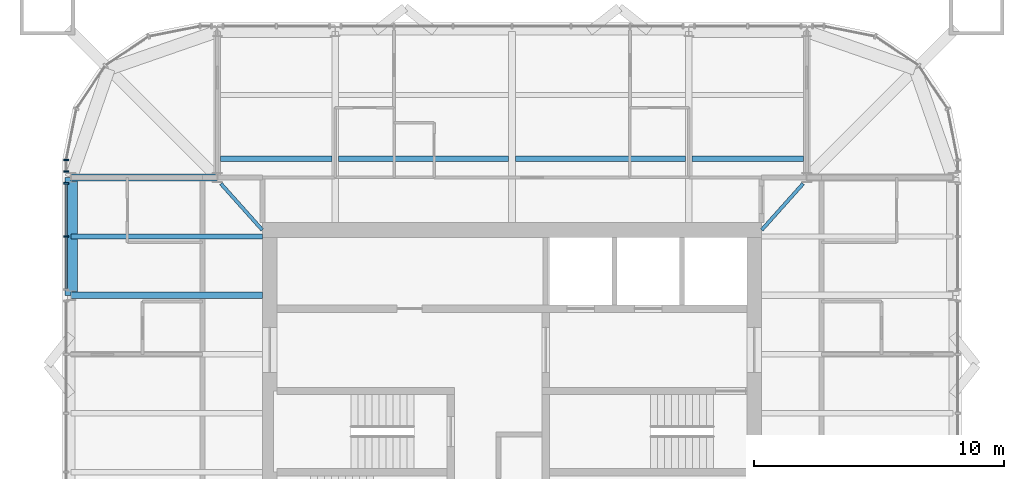
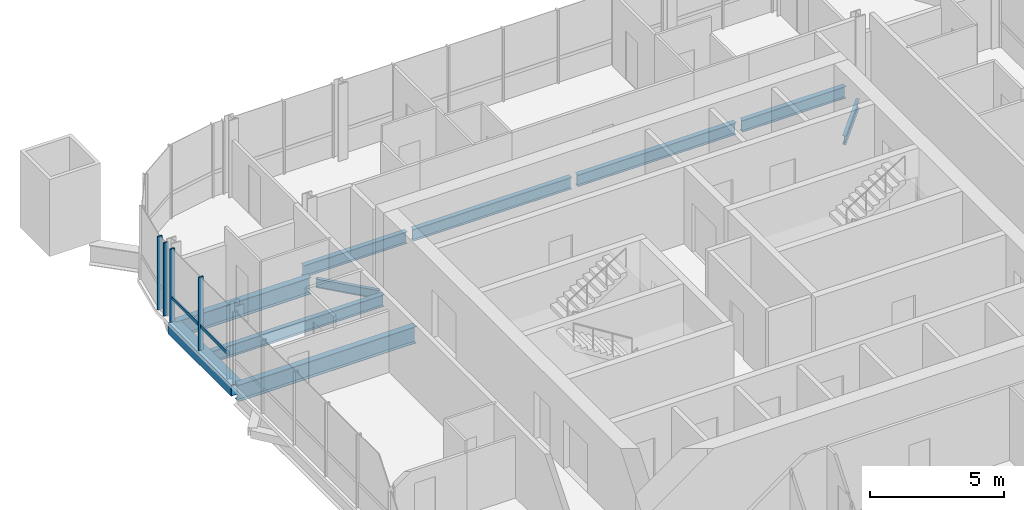
# One storey, part 4 of 17: 10 beams, 6 members, 2 elements without a shape of their own.
"""IFC4 building model written with IfcOpenShell, lengths in metres."""

from ifc_helpers import new_model, si_unit, direction, frame, origin, origin_2d, place, context, subcontext, project, spatial, rectangle, hollow_rectangle, i_section, extrude, material, material_profile, profile_set, type_object, element, aggregate, save


model = new_model("IFC4")

# Units and contexts
model_context = context("Model", 3, precision=1e-05, world=origin(), true_north=direction((0.0, 1.0)))
body_context = subcontext(model_context, "Body", "Model", "MODEL_VIEW")
ifc_project = project(units=[si_unit("LENGTHUNIT", "METRE"), si_unit("AREAUNIT", "SQUARE_METRE"), si_unit("VOLUMEUNIT", "CUBIC_METRE"), si_unit("PLANEANGLEUNIT", "RADIAN"), si_unit("MASSUNIT", "GRAM", prefix="KILO")], contexts=[model_context])

# Site, building, storey
site_placement = place(None, origin())
site = spatial("IfcSite", under=ifc_project, at=site_placement, CompositionType="ELEMENT")
building_placement = place(site_placement, origin())
building = spatial("IfcBuilding", under=site, at=building_placement, Name="Turquesa Mirador Hotel Tower", CompositionType="ELEMENT")
storey_placement = place(building_placement, frame((0.0, 0.0, 254.699951171875)))
storey = spatial("IfcBuildingStorey", under=building, at=storey_placement, Name="L69", CompositionType="ELEMENT", Elevation=254.699951171875)

# Beams
ifc_material_1 = material(Name="Steel ASTM A572 Grade 50", Category="steel")
ifc_material_profile_1 = material_profile(ifc_material_1, hollow_rectangle(XDim=0.5, YDim=0.5, WallThickness=0.01611328125, at=origin_2d()), Name="BOX500X500X16")
ifc_profile_set_1 = profile_set([ifc_material_profile_1], Name="Steel ASTM A572 Grade 50")
beam_type_1 = type_object("IfcBeamType", Name="BEAM BOX500X500X16", PredefinedType="BEAM", material=ifc_profile_set_1)
beam_1_placement = place(storey_placement, frame((37.35009765625, 52.080078125, -0.419921875), z_axis=(0.0, 1.0, 0.0), x_axis=(-1.0, 0.0, 0.0)))
element("IfcBeam", 1, at=beam_1_placement, inside=storey, type_object=beam_type_1, Name="EB-L69-W-R", PredefinedType="BEAM", context=body_context, shape_type="SweptSolid", body=[
    extrude(hollow_rectangle(XDim=0.5, YDim=0.5, WallThickness=0.01611328125, at=origin_2d()), origin(), (0.0, 0.0, 1.0), 4.719970703125),
])
ifc_material_2 = material(Name="Steel ASTM A992 Grade 50", Category="steel")
ifc_material_profile_2 = material_profile(ifc_material_2, i_section(OverallWidth=0.140380859375, OverallDepth=0.40380859375, WebThickness=0.007080078125, FlangeThickness=0.01123046875, at=origin_2d()), Name="W16X31")
ifc_profile_set_2 = profile_set([ifc_material_profile_2], Name="Steel ASTM A992 Grade 50")
beam_type_2 = type_object("IfcBeamType", Name="BEAM W16X31", PredefinedType="BEAM", material=ifc_profile_set_2)
for number, where, z_axis, x_axis, name in (
    (2, (66.656494140625, 56.55126953125, -0.371826171875), (-0.666806350186, -0.745231032198, 0.0), (0.745231032198, -0.666806350186, 0.0), "KT-L69-1"),
    (3, (43.343505859375, 56.55126953125, -0.371826171875), (0.666806350186, -0.745231032198, 0.0), (0.745231032198, 0.666806350186, 0.0), "KT-L69-2"),
):
    element("IfcBeam", number, at=place(storey_placement, frame(where, z_axis=z_axis, x_axis=x_axis)), inside=storey, type_object=beam_type_2, Name=name, PredefinedType="BEAM", context=body_context, shape_type="SweptSolid", body=[
        extrude(i_section(OverallWidth=0.140380859375, OverallDepth=0.40380859375, WebThickness=0.007080078125, FlangeThickness=0.01123046875, at=origin_2d()), origin(), (0.0, 0.0, 1.0), 2.484130859375),
    ])
ifc_material_3 = material(Name="Steel ASTM A992 Grade 50", Category="steel")
ifc_material_profile_3 = material_profile(ifc_material_3, i_section(OverallWidth=0.209228515625, OverallDepth=0.533447265625, WebThickness=0.01025390625, FlangeThickness=0.015625, at=origin_2d()), Name="W21X62")
ifc_profile_set_3 = profile_set([ifc_material_profile_3], Name="Steel ASTM A992 Grade 50")
beam_type_3 = type_object("IfcBeamType", Name="BEAM W21X62", PredefinedType="BEAM", material=ifc_profile_set_3)
beam_2_placement = place(storey_placement, frame((43.333251953125, 57.550048828125, -0.436767578125), z_axis=(1.0, 0.0, 0.0), x_axis=(0.0, 1.0, 0.0)))
element("IfcBeam", 4, at=beam_2_placement, inside=storey, type_object=beam_type_3, Name="IB-L69-N-1-0", PredefinedType="BEAM", context=body_context, shape_type="SweptSolid", body=[
    extrude(i_section(OverallWidth=0.209228515625, OverallDepth=0.533447265625, WebThickness=0.01025390625, FlangeThickness=0.015625, at=origin_2d()), origin(), (0.0, 0.0, 1.0), 4.453369140625),
])
for number, where, z_axis, x_axis, name in (
    (5, (48.053466796875, 57.550048828125, -0.436767578125), (1.0, 0.0, 0.0), (0.0, 1.0, 0.0), "IB-L69-N-1-1"),
    (6, (55.13330078125, 57.550048828125, -0.436767578125), (1.0, 0.0, 0.0), (0.0, 1.0, 0.0), "IB-L69-N-1-2"),
):
    element("IfcBeam", number, at=place(storey_placement, frame(where, z_axis=z_axis, x_axis=x_axis)), inside=storey, type_object=beam_type_3, Name=name, PredefinedType="BEAM", context=body_context, shape_type="SweptSolid", body=[
        extrude(i_section(OverallWidth=0.209228515625, OverallDepth=0.533447265625, WebThickness=0.01025390625, FlangeThickness=0.015625, at=origin_2d()), origin(), (0.0, 0.0, 1.0), 6.813232421875),
    ])
beam_3_placement = place(storey_placement, frame((62.21337890625, 57.550048828125, -0.436767578125), z_axis=(1.0, 0.0, 0.0), x_axis=(0.0, 1.0, 0.0)))
element("IfcBeam", 7, at=beam_3_placement, inside=storey, type_object=beam_type_3, Name="IB-L69-N-1-3", PredefinedType="BEAM", context=body_context, shape_type="SweptSolid", body=[
    extrude(i_section(OverallWidth=0.209228515625, OverallDepth=0.533447265625, WebThickness=0.01025390625, FlangeThickness=0.015625, at=origin_2d()), origin(), (0.0, 0.0, 1.0), 4.453369140625),
])
beam_4_placement = place(storey_placement, frame((37.35009765625, 54.43994140625, -0.436767578125), z_axis=(1.0, 0.0, 0.0), x_axis=(0.0, 1.0, 0.0)))
element("IfcBeam", 8, at=beam_4_placement, inside=storey, type_object=beam_type_3, Name="BM-L69-W-+9.44", PredefinedType="BEAM", context=body_context, shape_type="SweptSolid", body=[
    extrude(i_section(OverallWidth=0.209228515625, OverallDepth=0.533447265625, WebThickness=0.01025390625, FlangeThickness=0.015625, at=origin_2d()), origin(), (0.0, 0.0, 1.0), 7.64990234375),
])
ifc_material_4 = material(Name="Steel ASTM A992 Grade 50", Category="steel")
ifc_material_profile_4 = material_profile(ifc_material_4, i_section(OverallWidth=0.2666015625, OverallDepth=0.7568359375, WebThickness=0.013916015625, FlangeThickness=0.019287109375, at=origin_2d()), Name="W30X108")
ifc_profile_set_4 = profile_set([ifc_material_profile_4], Name="Steel ASTM A992 Grade 50")
beam_type_4 = type_object("IfcBeamType", Name="BEAM W30X108", PredefinedType="BEAM", material=ifc_profile_set_4)
beam_5_placement = place(storey_placement, frame((37.35009765625, 52.080078125, -0.54833984375), z_axis=(1.0, 0.0, 0.0), x_axis=(0.0, 1.0, 0.0)))
element("IfcBeam", 9, at=beam_5_placement, inside=storey, type_object=beam_type_4, Name="GD-L69-W-+7.08", PredefinedType="BEAM", context=body_context, shape_type="SweptSolid", body=[
    extrude(i_section(OverallWidth=0.2666015625, OverallDepth=0.7568359375, WebThickness=0.013916015625, FlangeThickness=0.019287109375, at=origin_2d()), origin(), (0.0, 0.0, 1.0), 7.64990234375),
])
beam_6_placement = place(storey_placement, frame((37.35009765625, 56.800048828125, -0.54833984375), z_axis=(1.0, 0.0, 0.0), x_axis=(0.0, 1.0, 0.0)))
element("IfcBeam", 10, at=beam_6_placement, inside=storey, type_object=beam_type_4, Name="GK-L69-W-+11.80", PredefinedType="BEAM", context=body_context, shape_type="SweptSolid", body=[
    extrude(i_section(OverallWidth=0.2666015625, OverallDepth=0.7568359375, WebThickness=0.013916015625, FlangeThickness=0.019287109375, at=origin_2d()), origin(), (0.0, 0.0, 1.0), 5.849853515625),
])

# Curtain wall, members
ifc_material_5 = material(Name="Aluminium extrusion", Category="aluminium")
curtain_wall_type = type_object("IfcCurtainWallType", Name="CW-4 SUITE FRITTED CURTAIN WALL", PredefinedType="USERDEFINED", material=ifc_material_5)
curtain_wall_1_placement = place(storey_placement, origin())
curtain_wall_1 = element("IfcCurtainWall", 11, at=curtain_wall_1_placement, inside=storey, type_object=curtain_wall_type, Name="CW-4 SUITE FRITTED CURTAIN WALL L69", ObjectType="CURTAIN WALL", PredefinedType="USERDEFINED")
ifc_material_6 = material(Name="Aluminium extrusion", Category="aluminium")
ifc_material_profile_5 = material_profile(ifc_material_6, rectangle(XDim=0.06494140625, YDim=0.199951171875, at=origin_2d()), Name="MULLION 65X200")
ifc_profile_set_5 = profile_set([ifc_material_profile_5], Name="Aluminium extrusion")
member_type_1 = type_object("IfcMemberType", Name="CW MULLION 65X200", PredefinedType="MULLION", material=ifc_profile_set_5)
member_1_placement = place(storey_placement, frame((37.14990234375, 57.5, 0.0), z_axis=(0.0, 0.0, 1.0), x_axis=(0.0, -1.0, 0.0)))
member_1 = element("IfcMember", 12, at=member_1_placement, type_object=member_type_1, Name="Mullion", PredefinedType="MULLION", context=body_context, shape_type="SweptSolid", body=[
    extrude(rectangle(XDim=0.06494140625, YDim=0.199951171875, at=origin_2d()), origin(), (0.0, 0.0, 1.0), 3.330078125),
])
member_2_placement = place(storey_placement, frame((37.14990234375, 57.033935546875, 0.0), z_axis=(0.0, 0.0, 1.0), x_axis=(0.0, -1.0, 0.0)))
member_2 = element("IfcMember", 13, at=member_2_placement, type_object=member_type_1, Name="Mullion", PredefinedType="MULLION", context=body_context, shape_type="SweptSolid", body=[
    extrude(rectangle(XDim=0.06494140625, YDim=0.199951171875, at=origin_2d()), origin(), (0.0, 0.0, 1.0), 3.330078125),
])
aggregate(curtain_wall_1, [member_1, member_2])

curtain_wall_2_placement = place(storey_placement, origin())
curtain_wall_2 = element("IfcCurtainWall", 14, at=curtain_wall_2_placement, inside=storey, type_object=curtain_wall_type, Name="CW-4 SUITE FRITTED CURTAIN WALL L69", ObjectType="CURTAIN WALL", PredefinedType="USERDEFINED")
member_3_placement = place(storey_placement, frame((37.14990234375, 56.566162109375, 0.0), z_axis=(0.0, 0.0, 1.0), x_axis=(0.0, -1.0, 0.0)))
member_3 = element("IfcMember", 15, at=member_3_placement, type_object=member_type_1, Name="Mullion", PredefinedType="MULLION", context=body_context, shape_type="SweptSolid", body=[
    extrude(rectangle(XDim=0.06494140625, YDim=0.199951171875, at=origin_2d()), origin(), (0.0, 0.0, 1.0), 3.330078125),
])
member_4_placement = place(storey_placement, frame((37.14990234375, 54.43994140625, 0.0), z_axis=(0.0, 0.0, 1.0), x_axis=(0.0, -1.0, 0.0)))
member_4 = element("IfcMember", 16, at=member_4_placement, type_object=member_type_1, Name="Mullion", PredefinedType="MULLION", context=body_context, shape_type="SweptSolid", body=[
    extrude(rectangle(XDim=0.06494140625, YDim=0.199951171875, at=origin_2d()), origin(), (0.0, 0.0, 1.0), 3.330078125),
])
ifc_material_7 = material(Name="Aluminium extrusion", Category="aluminium")
ifc_material_profile_6 = material_profile(ifc_material_7, rectangle(XDim=0.06494140625, YDim=0.14990234375, at=origin_2d()), Name="TRANSOM 65X150")
ifc_profile_set_6 = profile_set([ifc_material_profile_6], Name="Aluminium extrusion")
member_type_2 = type_object("IfcMemberType", Name="CW TRANSOM 65X150", PredefinedType="USERDEFINED", material=ifc_profile_set_6)
member_5_placement = place(storey_placement, frame((37.14990234375, 56.53369140625, 1.10009765625), z_axis=(0.0, -1.0, 0.0), x_axis=(1.0, 0.0, 0.0)))
member_5 = element("IfcMember", 17, at=member_5_placement, type_object=member_type_2, Name="Transom", ObjectType="TRANSOM", PredefinedType="USERDEFINED", context=body_context, shape_type="SweptSolid", body=[
    extrude(rectangle(XDim=0.06494140625, YDim=0.14990234375, at=origin_2d()), origin(), (0.0, 0.0, 1.0), 2.061279296875),
])
member_6_placement = place(storey_placement, frame((37.14990234375, 54.407470703125, 1.10009765625), z_axis=(0.0, -1.0, 0.0), x_axis=(1.0, 0.0, 0.0)))
member_6 = element("IfcMember", 18, at=member_6_placement, type_object=member_type_2, Name="Transom", ObjectType="TRANSOM", PredefinedType="USERDEFINED", context=body_context, shape_type="SweptSolid", body=[
    extrude(rectangle(XDim=0.06494140625, YDim=0.14990234375, at=origin_2d()), origin(), (0.0, 0.0, 1.0), 2.06103515625),
])
aggregate(curtain_wall_2, [member_3, member_4, member_5, member_6])

save(model, "model.ifc")
